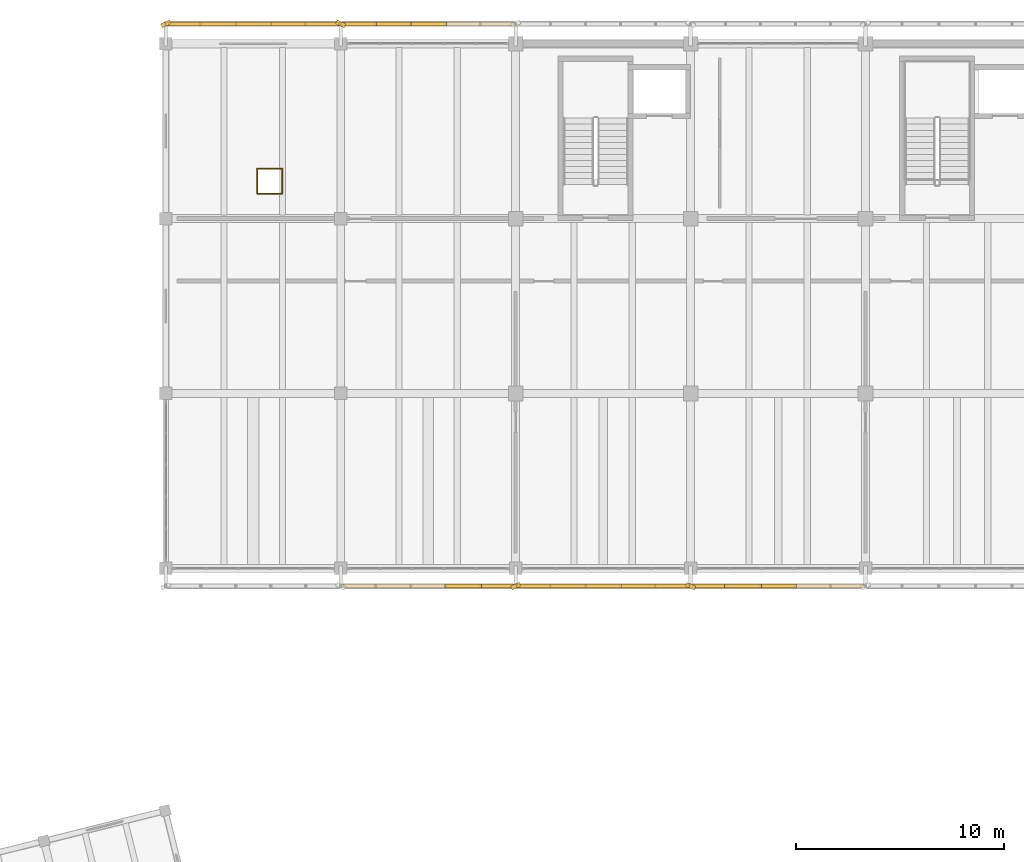
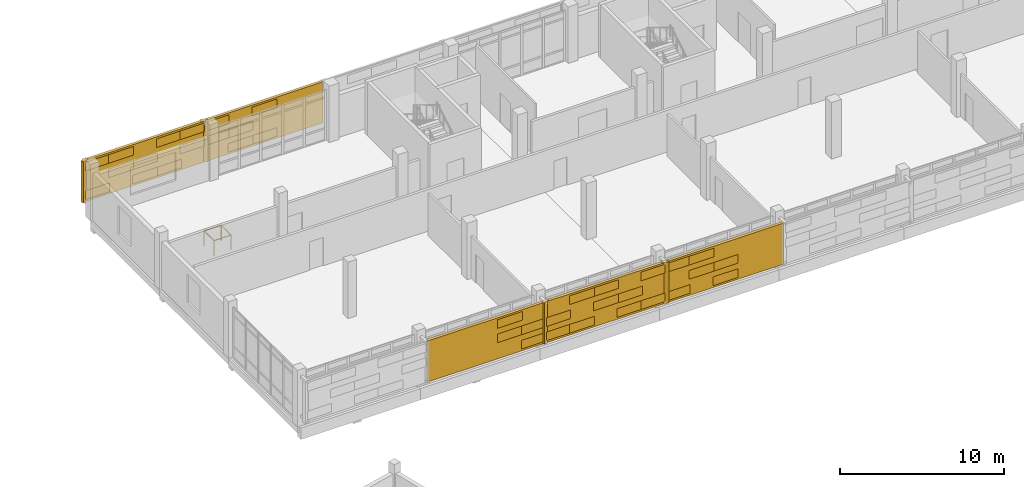
# One storey, part 130 of 137: 40 coverings, 5 shading devices, 4 railings.
"""IFC4 building model written with IfcOpenShell, lengths in metres."""

from ifc_helpers import new_model, si_unit, direction, frame, origin, origin_2d, place, context, subcontext, project, spatial, rectangle, circle, extrude, material, layer, layer_set, type_object, element, save


model = new_model("IFC4")

# Units and contexts
model_context = context("Model", 3, precision=1e-05, world=origin(), true_north=direction((0.0, 1.0)))
body_context = subcontext(model_context, "Body", "Model", "MODEL_VIEW")
ifc_project = project(units=[si_unit("LENGTHUNIT", "METRE"), si_unit("AREAUNIT", "SQUARE_METRE"), si_unit("VOLUMEUNIT", "CUBIC_METRE"), si_unit("PLANEANGLEUNIT", "RADIAN"), si_unit("MASSUNIT", "GRAM", prefix="KILO")], contexts=[model_context])

# Site, building, storey
site_placement = place(None, origin())
site = spatial("IfcSite", under=ifc_project, at=site_placement, CompositionType="ELEMENT")
building_placement = place(site_placement, origin())
building = spatial("IfcBuilding", under=site, at=building_placement, Name="Cinderway Yard Community Centre", CompositionType="ELEMENT")
storey_placement = place(building_placement, frame((0.0, 0.0, 4.800048828125)))
storey = spatial("IfcBuildingStorey", under=building, at=storey_placement, Name="L01", CompositionType="ELEMENT", Elevation=4.800048828125)

# Coverings
ifc_material_1 = material(Name="Brick Masonry", Category="masonry")
ifc_layer = layer(ifc_material_1, 0.18994140625, Name="Brick Masonry")
ifc_layer_set = layer_set([ifc_layer], Name="Brick Masonry")
covering_type = type_object("IfcCoveringType", Name="ENV-COV-BRK-SCREEN", PredefinedType="CLADDING", material=ifc_layer_set)
for number, where, z_axis, x_axis, name in (
    (1, (41.60009765625, 116.14990234375, 0.64990234375), (0.0, 0.0, 1.0), (0.913545457643, 0.406736643076, 0.0), "Deconstructivist folded brick fin 0001"),
    (2, (50.0, 116.14990234375, 0.64990234375), (0.0, 0.0, 1.0), (0.913545457643, -0.406736643076, 0.0), "Deconstructivist folded brick fin 0002"),
):
    element("IfcCovering", number, at=place(storey_placement, frame(where, z_axis=z_axis, x_axis=x_axis)), inside=storey, type_object=covering_type, Name=name, PredefinedType="CLADDING", context=body_context, shape_type="SweptSolid", body=[
        extrude(rectangle(XDim=0.4599609375, YDim=0.199951171875, at=origin_2d()), origin(), (0.0, 0.0, 1.0), 3.050048828125),
    ])
for number, where, z_axis, x_axis, name in (
    (3, (42.43994140625, 116.14990234375, 0.7900390625), (0.0, 0.0, 1.0), (1.0, 0.0, 0.0), "Open-bond perforated brick screen course 00014"),
    (4, (45.800048828125, 116.14990234375, 0.7900390625), (0.0, 0.0, 1.0), (1.0, 0.0, 0.0), "Open-bond perforated brick screen course 00015"),
    (5, (47.47998046875, 116.14990234375, 0.7900390625), (0.0, 0.0, 1.0), (1.0, 0.0, 0.0), "Open-bond perforated brick screen course 00016"),
    (6, (44.1201171875, 116.14990234375, 1.85205078125), (0.0, 0.0, 1.0), (1.0, 0.0, 0.0), "Open-bond perforated brick screen course 00017"),
    (7, (45.800048828125, 116.14990234375, 1.85205078125), (0.0, 0.0, 1.0), (1.0, 0.0, 0.0), "Open-bond perforated brick screen course 00018"),
    (8, (49.159912109375, 116.14990234375, 1.85205078125), (0.0, 0.0, 1.0), (1.0, 0.0, 0.0), "Open-bond perforated brick screen course 00019"),
    (9, (42.43994140625, 116.14990234375, 2.9140625), (0.0, 0.0, 1.0), (1.0, 0.0, 0.0), "Open-bond perforated brick screen course 00020"),
    (10, (44.1201171875, 116.14990234375, 2.9140625), (0.0, 0.0, 1.0), (1.0, 0.0, 0.0), "Open-bond perforated brick screen course 00021"),
    (11, (47.47998046875, 116.14990234375, 2.9140625), (0.0, 0.0, 1.0), (1.0, 0.0, 0.0), "Open-bond perforated brick screen course 00022"),
    (12, (49.159912109375, 116.14990234375, 2.9140625), (0.0, 0.0, 1.0), (1.0, 0.0, 0.0), "Open-bond perforated brick screen course 00023"),
    (13, (52.52001953125, 116.14990234375, 0.7900390625), (0.0, 0.0, 1.0), (1.0, 0.0, 0.0), "Open-bond perforated brick screen course 00024"),
    (14, (54.199951171875, 116.14990234375, 0.7900390625), (0.0, 0.0, 1.0), (1.0, 0.0, 0.0), "Open-bond perforated brick screen course 00025"),
    (15, (50.840087890625, 116.14990234375, 1.85205078125), (0.0, 0.0, 1.0), (1.0, 0.0, 0.0), "Open-bond perforated brick screen course 00027"),
    (16, (52.52001953125, 116.14990234375, 1.85205078125), (0.0, 0.0, 1.0), (1.0, 0.0, 0.0), "Open-bond perforated brick screen course 00028"),
    (17, (50.840087890625, 116.14990234375, 2.9140625), (0.0, 0.0, 1.0), (1.0, 0.0, 0.0), "Open-bond perforated brick screen course 00031"),
    (18, (54.199951171875, 116.14990234375, 2.9140625), (0.0, 0.0, 1.0), (1.0, 0.0, 0.0), "Open-bond perforated brick screen course 00032"),
):
    element("IfcCovering", number, at=place(storey_placement, frame(where, z_axis=z_axis, x_axis=x_axis)), inside=storey, type_object=covering_type, Name=name, PredefinedType="CLADDING", context=body_context, shape_type="SweptSolid", body=[
        extrude(rectangle(XDim=1.760009765625, YDim=0.18994140625, at=origin_2d()), origin(), (0.0, 0.0, 1.0), 0.64599609375),
    ])
for number, where, z_axis, x_axis, name in (
    (19, (58.39990234375, 89.14990234375, 0.64990234375), (0.0, 0.0, 1.0), (-0.913545457643, -0.406736643076, 0.0), "Deconstructivist folded brick fin 0436"),
    (20, (66.800048828125, 89.14990234375, 0.64990234375), (0.0, 0.0, 1.0), (-0.913545457643, 0.406736643076, 0.0), "Deconstructivist folded brick fin 0437"),
):
    element("IfcCovering", number, at=place(storey_placement, frame(where, z_axis=z_axis, x_axis=x_axis)), inside=storey, type_object=covering_type, Name=name, PredefinedType="CLADDING", context=body_context, shape_type="SweptSolid", body=[
        extrude(rectangle(XDim=0.4599609375, YDim=0.199951171875, at=origin_2d()), origin(), (0.0, 0.0, 1.0), 3.050048828125),
    ])
for number, where, z_axis, x_axis, name in (
    (21, (57.56005859375, 89.14990234375, 0.7900390625), (0.0, 0.0, 1.0), (-1.0, 0.0, 0.0), "Open-bond perforated brick screen course 00459"),
    (22, (55.8798828125, 89.14990234375, 1.85205078125), (0.0, 0.0, 1.0), (-1.0, 0.0, 0.0), "Open-bond perforated brick screen course 00462"),
    (23, (57.56005859375, 89.14990234375, 1.85205078125), (0.0, 0.0, 1.0), (-1.0, 0.0, 0.0), "Open-bond perforated brick screen course 00463"),
    (24, (55.8798828125, 89.14990234375, 2.9140625), (0.0, 0.0, 1.0), (-1.0, 0.0, 0.0), "Open-bond perforated brick screen course 00466"),
    (25, (59.239990234375, 89.14990234375, 0.7900390625), (0.0, 0.0, 1.0), (-1.0, 0.0, 0.0), "Open-bond perforated brick screen course 00467"),
    (26, (60.919921875, 89.14990234375, 0.7900390625), (0.0, 0.0, 1.0), (-1.0, 0.0, 0.0), "Open-bond perforated brick screen course 00468"),
    (27, (64.280029296875, 89.14990234375, 0.7900390625), (0.0, 0.0, 1.0), (-1.0, 0.0, 0.0), "Open-bond perforated brick screen course 00469"),
    (28, (65.9599609375, 89.14990234375, 0.7900390625), (0.0, 0.0, 1.0), (-1.0, 0.0, 0.0), "Open-bond perforated brick screen course 00470"),
    (29, (59.239990234375, 89.14990234375, 1.85205078125), (0.0, 0.0, 1.0), (-1.0, 0.0, 0.0), "Open-bond perforated brick screen course 00471"),
    (30, (62.60009765625, 89.14990234375, 1.85205078125), (0.0, 0.0, 1.0), (-1.0, 0.0, 0.0), "Open-bond perforated brick screen course 00472"),
    (31, (64.280029296875, 89.14990234375, 1.85205078125), (0.0, 0.0, 1.0), (-1.0, 0.0, 0.0), "Open-bond perforated brick screen course 00473"),
    (32, (60.919921875, 89.14990234375, 2.9140625), (0.0, 0.0, 1.0), (-1.0, 0.0, 0.0), "Open-bond perforated brick screen course 00474"),
    (33, (62.60009765625, 89.14990234375, 2.9140625), (0.0, 0.0, 1.0), (-1.0, 0.0, 0.0), "Open-bond perforated brick screen course 00475"),
    (34, (65.9599609375, 89.14990234375, 2.9140625), (0.0, 0.0, 1.0), (-1.0, 0.0, 0.0), "Open-bond perforated brick screen course 00476"),
    (35, (67.639892578125, 89.14990234375, 0.7900390625), (0.0, 0.0, 1.0), (-1.0, 0.0, 0.0), "Open-bond perforated brick screen course 00477"),
    (36, (71.0, 89.14990234375, 0.7900390625), (0.0, 0.0, 1.0), (-1.0, 0.0, 0.0), "Open-bond perforated brick screen course 00478"),
    (37, (69.320068359375, 89.14990234375, 1.85205078125), (0.0, 0.0, 1.0), (-1.0, 0.0, 0.0), "Open-bond perforated brick screen course 00480"),
    (38, (71.0, 89.14990234375, 1.85205078125), (0.0, 0.0, 1.0), (-1.0, 0.0, 0.0), "Open-bond perforated brick screen course 00481"),
    (39, (67.639892578125, 89.14990234375, 2.9140625), (0.0, 0.0, 1.0), (-1.0, 0.0, 0.0), "Open-bond perforated brick screen course 00483"),
    (40, (69.320068359375, 89.14990234375, 2.9140625), (0.0, 0.0, 1.0), (-1.0, 0.0, 0.0), "Open-bond perforated brick screen course 00484"),
):
    element("IfcCovering", number, at=place(storey_placement, frame(where, z_axis=z_axis, x_axis=x_axis)), inside=storey, type_object=covering_type, Name=name, PredefinedType="CLADDING", context=body_context, shape_type="SweptSolid", body=[
        extrude(rectangle(XDim=1.760009765625, YDim=0.18994140625, at=origin_2d()), origin(), (0.0, 0.0, 1.0), 0.64599609375),
    ])

# Shading devices
shading_device_type = type_object("IfcShadingDeviceType", Name="ENV-SHD-BRICKSCREEN-A", PredefinedType="USERDEFINED", material=ifc_material_1)
for number, where, z_axis, x_axis, name in (
    (41, (45.800048828125, 116.14990234375, 0.64990234375), (0.0, 0.0, 1.0), (1.0, 0.0, 0.0), "Street Perforated Brick Screen 0009"),
    (42, (54.199951171875, 116.14990234375, 0.64990234375), (0.0, 0.0, 1.0), (1.0, 0.0, 0.0), "Street Perforated Brick Screen 0017"),
    (43, (54.199951171875, 89.14990234375, 0.64990234375), (0.0, 0.0, 1.0), (-1.0, 0.0, 0.0), "V4 Courtyard Perforated Brick Screen 0333"),
    (44, (62.60009765625, 89.14990234375, 0.64990234375), (0.0, 0.0, 1.0), (-1.0, 0.0, 0.0), "V4 Courtyard Perforated Brick Screen 0341"),
    (45, (71.0, 89.14990234375, 0.64990234375), (0.0, 0.0, 1.0), (-1.0, 0.0, 0.0), "V4 Courtyard Perforated Brick Screen 0349"),
):
    element("IfcShadingDevice", number, at=place(storey_placement, frame(where, z_axis=z_axis, x_axis=x_axis)), inside=storey, type_object=shading_device_type, Name=name, ObjectType="PERFORATED BRICK SCREEN", PredefinedType="USERDEFINED", context=body_context, shape_type="SweptSolid", body=[
        extrude(rectangle(XDim=8.199951171875, YDim=0.18994140625, at=origin_2d()), origin(), (0.0, 0.0, 1.0), 3.050048828125),
    ])

# Railings
ifc_material_2 = material(Name="Painted Galvanised Steel", Category="steel")
railing_type = type_object("IfcRailingType", Name="INT-RAL-GRD112", PredefinedType="GUARDRAIL", material=ifc_material_2)
railing_1_placement = place(storey_placement, frame((46.0, 108.0, 0.0)))
element("IfcRailing", 46, at=railing_1_placement, inside=storey, type_object=railing_type, Name="Service void perimeter guard L01 087", PredefinedType="GUARDRAIL", context=body_context, shape_type="SweptSolid", body=[
    extrude(circle(Radius=0.02392578125, at=origin_2d()), frame((0.0, 0.0, 1.09619140625), z_axis=(1.0, 0.0, 0.0), x_axis=(0.0, 1.0, 0.0)), (0.0, 0.0, 1.0), 1.199951171875),
    extrude(circle(Radius=0.02099609375, at=origin_2d()), origin(), (0.0, 0.0, 1.0), 1.072021484375),
    extrude(circle(Radius=0.02099609375, at=origin_2d()), frame((1.199951171875, 0.0, 0.0)), (0.0, 0.0, 1.0), 1.072021484375),
])
railing_2_placement = place(storey_placement, frame((47.199951171875, 108.0, 0.0)))
element("IfcRailing", 47, at=railing_2_placement, inside=storey, type_object=railing_type, Name="Service void perimeter guard L01 088", PredefinedType="GUARDRAIL", context=body_context, shape_type="SweptSolid", body=[
    extrude(circle(Radius=0.02392578125, at=origin_2d()), frame((0.0, 0.0, 1.09619140625), z_axis=(0.0, 1.0, 0.0), x_axis=(-1.0, 0.0, 0.0)), (0.0, 0.0, 1.0), 1.199951171875),
    extrude(circle(Radius=0.02099609375, at=origin_2d()), origin(), (0.0, 0.0, 1.0), 1.072021484375),
    extrude(circle(Radius=0.02099609375, at=origin_2d()), frame((0.0, 1.199951171875, 0.0)), (0.0, 0.0, 1.0), 1.072021484375),
])
railing_3_placement = place(storey_placement, frame((47.199951171875, 109.199951171875, 0.0)))
element("IfcRailing", 48, at=railing_3_placement, inside=storey, type_object=railing_type, Name="Service void perimeter guard L01 089", PredefinedType="GUARDRAIL", context=body_context, shape_type="SweptSolid", body=[
    extrude(circle(Radius=0.02392578125, at=origin_2d()), frame((0.0, 0.0, 1.09619140625), z_axis=(-1.0, 0.0, 0.0), x_axis=(0.0, -1.0, 0.0)), (0.0, 0.0, 1.0), 1.199951171875),
    extrude(circle(Radius=0.02099609375, at=origin_2d()), origin(), (0.0, 0.0, 1.0), 1.072021484375),
    extrude(circle(Radius=0.02099609375, at=origin_2d()), frame((-1.199951171875, 0.0, 0.0)), (0.0, 0.0, 1.0), 1.072021484375),
])
railing_4_placement = place(storey_placement, frame((46.0, 109.199951171875, 0.0)))
element("IfcRailing", 49, at=railing_4_placement, inside=storey, type_object=railing_type, Name="Service void perimeter guard L01 090", PredefinedType="GUARDRAIL", context=body_context, shape_type="SweptSolid", body=[
    extrude(circle(Radius=0.02392578125, at=origin_2d()), frame((0.0, 0.0, 1.09619140625), z_axis=(0.0, -1.0, 0.0), x_axis=(1.0, 0.0, 0.0)), (0.0, 0.0, 1.0), 1.199951171875),
    extrude(circle(Radius=0.02099609375, at=origin_2d()), origin(), (0.0, 0.0, 1.0), 1.072021484375),
    extrude(circle(Radius=0.02099609375, at=origin_2d()), frame((0.0, -1.199951171875, 0.0)), (0.0, 0.0, 1.0), 1.072021484375),
])

save(model, "model.ifc")
